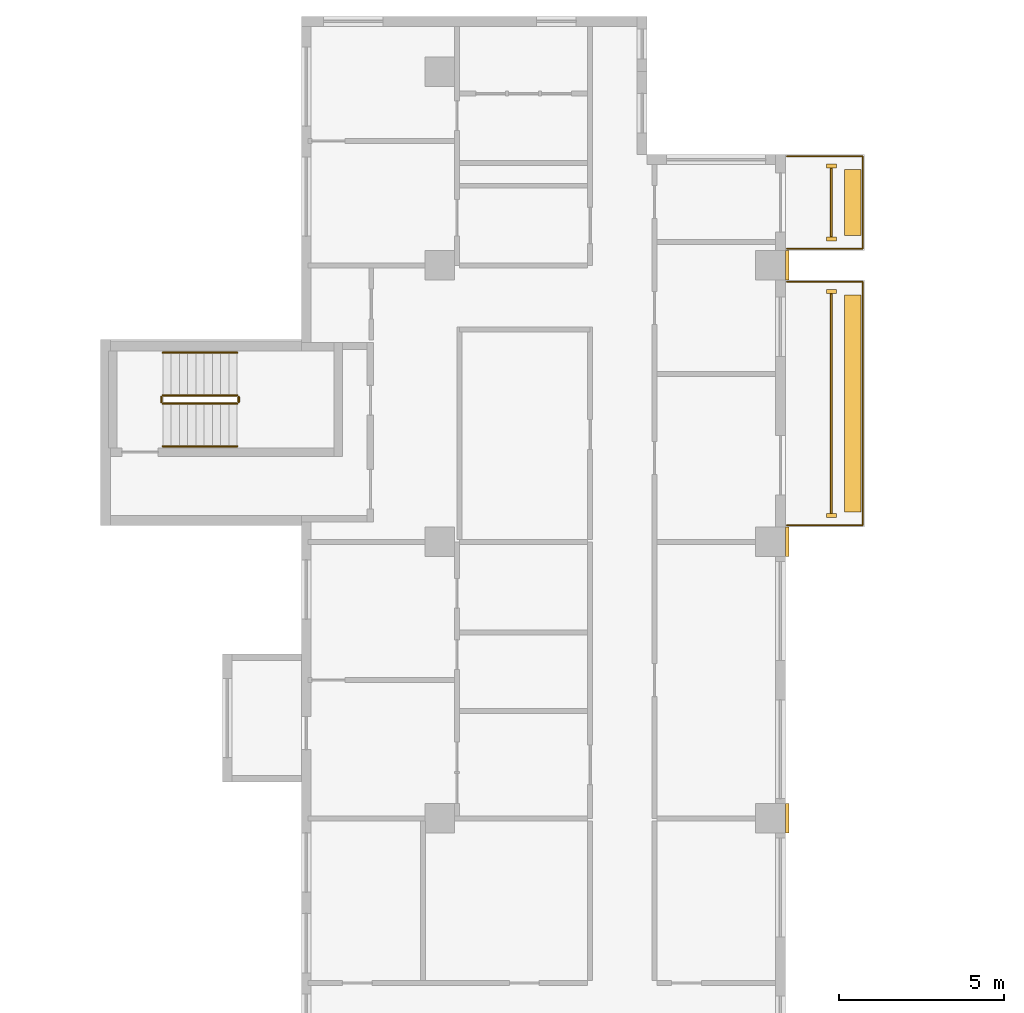
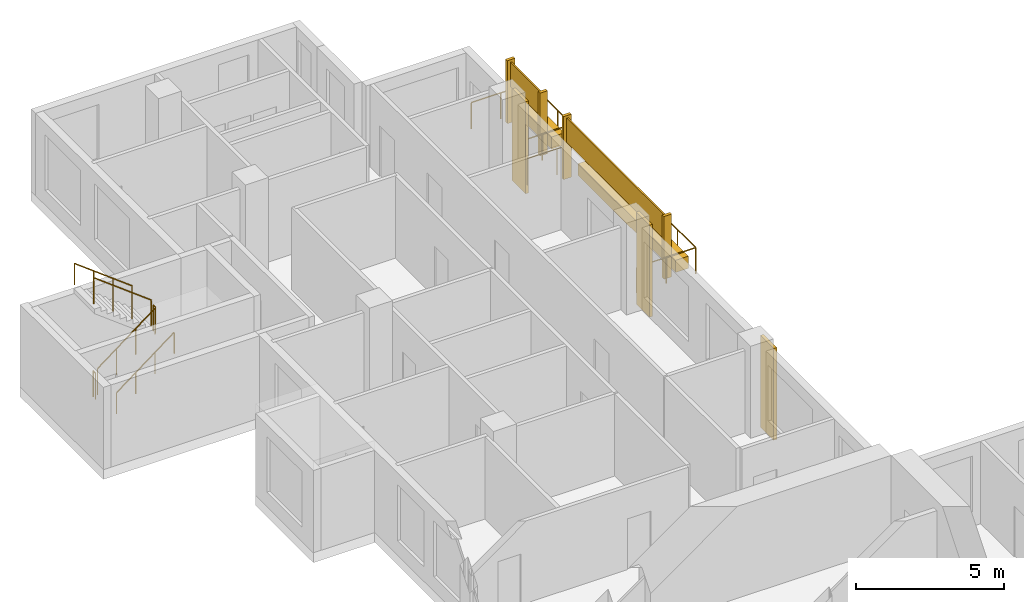
# One storey, part 12 of 12: 11 coverings, 8 railings.
"""IFC4 building model written with IfcOpenShell, lengths in metres."""

from ifc_helpers import new_model, si_unit, direction, frame, origin, origin_2d, place, context, subcontext, project, spatial, rectangle, circle, extrude, source, transform, mapped, material, type_object, element, save


model = new_model("IFC4")

# Units and contexts
model_context = context("Model", 3, precision=1e-05, world=origin(), true_north=direction((0.0, 1.0)))
body_context = subcontext(model_context, "Body", "Model", "MODEL_VIEW")
ifc_project = project(units=[si_unit("LENGTHUNIT", "METRE"), si_unit("AREAUNIT", "SQUARE_METRE"), si_unit("VOLUMEUNIT", "CUBIC_METRE"), si_unit("PLANEANGLEUNIT", "RADIAN"), si_unit("MASSUNIT", "GRAM", prefix="KILO")], contexts=[model_context])

# Site, building, storey
site_placement = place(None, origin())
site = spatial("IfcSite", under=ifc_project, at=site_placement, CompositionType="ELEMENT")
building_placement = place(site_placement, origin())
building = spatial("IfcBuilding", under=site, at=building_placement, Name="Aurelian Terraces", CompositionType="ELEMENT")
storey_placement = place(building_placement, frame((0.0, 0.0, 200.6)))
storey = spatial("IfcBuildingStorey", under=building, at=storey_placement, Name="L44", CompositionType="ELEMENT", Elevation=200.6)

# Railing
ifc_material_1 = material(Name="Anodised aluminium", Category="aluminium")
railing_type_1 = type_object("IfcRailingType", Name="GUARD-1100", PredefinedType="GUARDRAIL", material=ifc_material_1)
railing_1_placement = place(storey_placement, frame((21.05, 38.3, 0.0)))
element("IfcRailing", 1, at=railing_1_placement, inside=storey, type_object=railing_type_1, Name="Balcony guard L44 F08.21", PredefinedType="GUARDRAIL", context=body_context, shape_type="SweptSolid", body=[
    extrude(circle(Radius=0.024, at=origin_2d()), frame((0.0, 0.0, 1.076), z_axis=(1.0, 0.0, 0.0), x_axis=(0.0, 1.0, 0.0)), (0.0, 0.0, 1.0), 2.3),
    extrude(circle(Radius=0.024, at=origin_2d()), frame((2.3, 0.0, 1.076), z_axis=(0.0, 1.0, 0.0), x_axis=(-1.0, 0.0, 0.0)), (0.0, 0.0, 1.0), 7.4),
    extrude(circle(Radius=0.024, at=origin_2d()), frame((2.3, 7.4, 1.076), z_axis=(-1.0, 0.0, 0.0), x_axis=(0.0, -1.0, 0.0)), (0.0, 0.0, 1.0), 2.3),
    extrude(circle(Radius=0.021, at=origin_2d()), origin(), (0.0, 0.0, 1.0), 1.052),
    extrude(circle(Radius=0.021, at=origin_2d()), frame((1.15, 0.0, 0.0)), (0.0, 0.0, 1.0), 1.052),
    extrude(circle(Radius=0.021, at=origin_2d()), frame((2.3, 0.0, 0.0)), (0.0, 0.0, 1.0), 1.052),
    extrude(circle(Radius=0.021, at=origin_2d()), frame((2.3, 1.2333, 0.0)), (0.0, 0.0, 1.0), 1.052),
    extrude(circle(Radius=0.021, at=origin_2d()), frame((2.3, 2.4667, 0.0)), (0.0, 0.0, 1.0), 1.052),
    extrude(circle(Radius=0.021, at=origin_2d()), frame((2.3, 3.7, 0.0)), (0.0, 0.0, 1.0), 1.052),
    extrude(circle(Radius=0.021, at=origin_2d()), frame((2.3, 4.9333, 0.0)), (0.0, 0.0, 1.0), 1.052),
    extrude(circle(Radius=0.021, at=origin_2d()), frame((2.3, 6.1667, 0.0)), (0.0, 0.0, 1.0), 1.052),
    extrude(circle(Radius=0.021, at=origin_2d()), frame((2.3, 7.4, 0.0)), (0.0, 0.0, 1.0), 1.052),
    extrude(circle(Radius=0.021, at=origin_2d()), frame((1.15, 7.4, 0.0)), (0.0, 0.0, 1.0), 1.052),
    extrude(circle(Radius=0.021, at=origin_2d()), frame((0.0, 7.4, 0.0)), (0.0, 0.0, 1.0), 1.052),
])

# Coverings
ifc_material_2 = material(Name="Terracotta planter with planting soil", Category="masonry")
covering_type_1 = type_object("IfcCoveringType", Name="PLANTER-TROUGH", PredefinedType="USERDEFINED", material=ifc_material_2)
covering_1_placement = place(storey_placement, frame((23.05, 42.0, 0.0), z_axis=(0.0, 0.0, 1.0), x_axis=(1.0, 0.0, 0.0)))
element("IfcCovering", 2, at=covering_1_placement, inside=storey, type_object=covering_type_1, Name="PLANTER L44 L44-F08-21", ObjectType="PLANTER", PredefinedType="USERDEFINED", context=body_context, shape_type="SweptSolid", body=[
    extrude(rectangle(XDim=0.5, YDim=6.6, at=origin_2d()), origin(), (0.0, 0.0, 1.0), 0.5),
])
ifc_material_3 = material(Name="Terracotta rainscreen cladding", Category="masonry")
covering_type_2 = type_object("IfcCoveringType", Name="SCREEN-TC", PredefinedType="CLADDING", material=ifc_material_3)
covering_2_placement = place(storey_placement, frame((22.4, 42.0, 1.5), z_axis=(0.0, 0.0, 1.0), x_axis=(1.0, 0.0, 0.0)))
element("IfcCovering", 3, at=covering_2_placement, inside=storey, type_object=covering_type_2, Name="SCREEN L44 L44-F08-21", PredefinedType="CLADDING", context=body_context, shape_type="SweptSolid", body=[
    extrude(rectangle(XDim=0.06, YDim=6.68, at=origin_2d()), origin(), (0.0, 0.0, 1.0), 1.0),
])
ifc_material_4 = material(Name="Terracotta rainscreen cladding relief", Category="masonry")
covering_type_3 = type_object("IfcCoveringType", Name="FIN-TC", PredefinedType="CLADDING", material=ifc_material_4)
shared_shape_1 = source(origin(), body_context, "Body", "SweptSolid", [
    extrude(rectangle(XDim=0.3, YDim=0.12, at=origin_2d()), origin(), (0.0, 0.0, 1.0), 2.6),
])
for number, where, z_axis, x_axis, name in (
    (4, (22.4, 38.6, 0.0), (0.0, 0.0, 1.0), (1.0, 0.0, 0.0), "FIN L44 L44-F08-21.1"),
    (5, (22.4, 45.4, 0.0), (0.0, 0.0, 1.0), (1.0, 0.0, 0.0), "FIN L44 L44-F08-21.2"),
    (6, (22.4, 47.0, 0.0), (0.0, 0.0, 1.0), (1.0, 0.0, 0.0), "FIN L44 L44-F08-22.1"),
    (7, (22.4, 49.21, 0.0), (0.0, 0.0, 1.0), (1.0, 0.0, 0.0), "FIN L44 L44-F08-22.2"),
):
    element("IfcCovering", number, at=place(storey_placement, frame(where, z_axis=z_axis, x_axis=x_axis)), inside=storey, type_object=covering_type_3, Name=name, PredefinedType="CLADDING", context=body_context, shape_type="MappedRepresentation", body=[
        mapped(shared_shape_1, transform((0.0, 0.0, 0.0), scale=1.0)),
    ])
covering_type_4 = type_object("IfcCoveringType", Name="BAGUETTE-TC", PredefinedType="CLADDING", material=ifc_material_4)
shared_shape_2 = source(origin(), body_context, "Body", "SweptSolid", [
    extrude(rectangle(XDim=0.12, YDim=0.9, at=origin_2d()), origin(), (0.0, 0.0, 1.0), 3.8),
])
for number, where, z_axis, x_axis, name in (
    (8, (21.06, 29.4, -0.4), (0.0, 0.0, 1.0), (1.0, 0.0, 0.0), "BAGUETTE pier L44 7"),
    (9, (21.06, 37.8, -0.4), (0.0, 0.0, 1.0), (1.0, 0.0, 0.0), "BAGUETTE pier L44 8"),
    (10, (21.06, 46.2, -0.4), (0.0, 0.0, 1.0), (1.0, 0.0, 0.0), "BAGUETTE pier L44 9"),
):
    element("IfcCovering", number, at=place(storey_placement, frame(where, z_axis=z_axis, x_axis=x_axis)), inside=storey, type_object=covering_type_4, Name=name, PredefinedType="CLADDING", context=body_context, shape_type="MappedRepresentation", body=[
        mapped(shared_shape_2, transform((0.0, 0.0, 0.0), scale=1.0)),
    ])

# Railing
shared_shape_3 = source(origin(), body_context, "Body", "SweptSolid", [
    extrude(circle(Radius=0.024, at=origin_2d()), frame((0.0, 0.0, 1.076), z_axis=(1.0, 0.0, 0.0), x_axis=(0.0, 1.0, 0.0)), (0.0, 0.0, 1.0), 2.3),
    extrude(circle(Radius=0.024, at=origin_2d()), frame((2.3, 0.0, 1.076), z_axis=(0.0, 1.0, 0.0), x_axis=(-1.0, 0.0, 0.0)), (0.0, 0.0, 1.0), 2.81),
    extrude(circle(Radius=0.024, at=origin_2d()), frame((2.3, 2.81, 1.076), z_axis=(-1.0, 0.0, 0.0), x_axis=(0.0, -1.0, 0.0)), (0.0, 0.0, 1.0), 2.3),
    extrude(circle(Radius=0.021, at=origin_2d()), origin(), (0.0, 0.0, 1.0), 1.052),
    extrude(circle(Radius=0.021, at=origin_2d()), frame((1.15, 0.0, 0.0)), (0.0, 0.0, 1.0), 1.052),
    extrude(circle(Radius=0.021, at=origin_2d()), frame((2.3, 0.0, 0.0)), (0.0, 0.0, 1.0), 1.052),
    extrude(circle(Radius=0.021, at=origin_2d()), frame((2.3, 0.9367, 0.0)), (0.0, 0.0, 1.0), 1.052),
    extrude(circle(Radius=0.021, at=origin_2d()), frame((2.3, 1.8733, 0.0)), (0.0, 0.0, 1.0), 1.052),
    extrude(circle(Radius=0.021, at=origin_2d()), frame((2.3, 2.81, 0.0)), (0.0, 0.0, 1.0), 1.052),
    extrude(circle(Radius=0.021, at=origin_2d()), frame((1.15, 2.81, 0.0)), (0.0, 0.0, 1.0), 1.052),
    extrude(circle(Radius=0.021, at=origin_2d()), frame((0.0, 2.81, 0.0)), (0.0, 0.0, 1.0), 1.052),
])
railing_2_placement = place(storey_placement, frame((21.05, 46.7, 0.0)))
element("IfcRailing", 11, at=railing_2_placement, inside=storey, type_object=railing_type_1, Name="Balcony guard L44 F08.22", PredefinedType="GUARDRAIL", context=body_context, shape_type="MappedRepresentation", body=[
    mapped(shared_shape_3, transform((0.0, 0.0, 0.0), scale=1.0)),
])

# Coverings
shared_shape_4 = source(origin(), body_context, "Body", "SweptSolid", [
    extrude(rectangle(XDim=0.5, YDim=2.01, at=origin_2d()), origin(), (0.0, 0.0, 1.0), 0.5),
])
covering_3_placement = place(storey_placement, frame((23.05, 48.105, 0.0), z_axis=(0.0, 0.0, 1.0), x_axis=(1.0, 0.0, 0.0)))
element("IfcCovering", 12, at=covering_3_placement, inside=storey, type_object=covering_type_1, Name="PLANTER L44 L44-F08-22", ObjectType="PLANTER", PredefinedType="USERDEFINED", context=body_context, shape_type="MappedRepresentation", body=[
    mapped(shared_shape_4, transform((0.0, 0.0, 0.0), scale=1.0)),
])
shared_shape_5 = source(origin(), body_context, "Body", "SweptSolid", [
    extrude(rectangle(XDim=0.06, YDim=2.09, at=origin_2d()), origin(), (0.0, 0.0, 1.0), 1.0),
])
covering_4_placement = place(storey_placement, frame((22.4, 48.105, 1.5), z_axis=(0.0, 0.0, 1.0), x_axis=(1.0, 0.0, 0.0)))
element("IfcCovering", 13, at=covering_4_placement, inside=storey, type_object=covering_type_2, Name="SCREEN L44 L44-F08-22", PredefinedType="CLADDING", context=body_context, shape_type="MappedRepresentation", body=[
    mapped(shared_shape_5, transform((0.0, 0.0, 0.0), scale=1.0)),
])

# Railings
ifc_material_5 = material(Name="Stainless steel", Category="steel")
railing_type_2 = type_object("IfcRailingType", Name="Stair guard 1100", PredefinedType="GUARDRAIL", material=ifc_material_5)
shared_shape_6 = source(origin(), body_context, "Body", "SweptSolid", [
    extrude(circle(Radius=0.024, at=origin_2d()), frame((0.0, 0.0, 1.076), z_axis=(0.0, 1.0, 0.0), x_axis=(-1.0, 0.0, 0.0)), (0.0, 0.0, 1.0), 0.15),
    extrude(circle(Radius=0.021, at=origin_2d()), origin(), (0.0, 0.0, 1.0), 1.052),
    extrude(circle(Radius=0.021, at=origin_2d()), frame((0.0, 0.15, 0.0)), (0.0, 0.0, 1.0), 1.052),
])
for number, where, name in (
    (14, (4.4, 42.05, 1.9), "L44 S3 stair guard 2"),
    (15, (2.05, 42.05, 0.0), "L44 S3 stair guard 4"),
):
    element("IfcRailing", number, at=place(storey_placement, frame(where)), inside=storey, type_object=railing_type_2, Name=name, PredefinedType="GUARDRAIL", context=body_context, shape_type="MappedRepresentation", body=[
        mapped(shared_shape_6, transform((0.0, 0.0, 0.0), scale=1.0)),
    ])
shared_shape_7 = source(origin(), body_context, "Body", "SweptSolid", [
    extrude(circle(Radius=0.024, at=origin_2d()), frame((0.0, 0.0, 1.076), z_axis=(0.796162194123, 0.0, 0.605083267534), x_axis=(0.0, 1.0, 0.0)), (0.0, 0.0, 1.0), 2.8261),
    extrude(circle(Radius=0.021, at=origin_2d()), origin(), (0.0, 0.0, 1.0), 1.052),
    extrude(circle(Radius=0.021, at=origin_2d()), frame((0.75, 0.0, 0.57)), (0.0, 0.0, 1.0), 1.052),
    extrude(circle(Radius=0.021, at=origin_2d()), frame((1.5, 0.0, 1.14)), (0.0, 0.0, 1.0), 1.052),
    extrude(circle(Radius=0.021, at=origin_2d()), frame((2.25, 0.0, 1.71)), (0.0, 0.0, 1.0), 1.052),
])
railing_3_placement = place(storey_placement, frame((2.1, 42.0, 0.19)))
element("IfcRailing", 16, at=railing_3_placement, inside=storey, type_object=railing_type_2, Name="L44 S3 stair guard 1", PredefinedType="GUARDRAIL", context=body_context, shape_type="MappedRepresentation", body=[
    mapped(shared_shape_7, transform((0.0, 0.0, 0.0), scale=1.0)),
])
shared_shape_8 = source(origin(), body_context, "Body", "SweptSolid", [
    extrude(circle(Radius=0.024, at=origin_2d()), frame((0.0, 0.0, 1.076), z_axis=(-0.796162194123, 0.0, 0.605083267534), x_axis=(0.0, -1.0, 0.0)), (0.0, 0.0, 1.0), 2.8261),
    extrude(circle(Radius=0.021, at=origin_2d()), origin(), (0.0, 0.0, 1.0), 1.052),
    extrude(circle(Radius=0.021, at=origin_2d()), frame((-0.75, 0.0, 0.57)), (0.0, 0.0, 1.0), 1.052),
    extrude(circle(Radius=0.021, at=origin_2d()), frame((-1.5, 0.0, 1.14)), (0.0, 0.0, 1.0), 1.052),
    extrude(circle(Radius=0.021, at=origin_2d()), frame((-2.25, 0.0, 1.71)), (0.0, 0.0, 1.0), 1.052),
])
railing_4_placement = place(storey_placement, frame((4.35, 42.25, 2.09)))
element("IfcRailing", 17, at=railing_4_placement, inside=storey, type_object=railing_type_2, Name="L44 S3 stair guard 3", PredefinedType="GUARDRAIL", context=body_context, shape_type="MappedRepresentation", body=[
    mapped(shared_shape_8, transform((0.0, 0.0, 0.0), scale=1.0)),
])
railing_type_3 = type_object("IfcRailingType", Name="Stair handrail", PredefinedType="HANDRAIL", material=ifc_material_5)
shared_shape_9 = source(origin(), body_context, "Body", "SweptSolid", [
    extrude(circle(Radius=0.024, at=origin_2d()), frame((0.0, 0.0, 0.876), z_axis=(0.796162194123, 0.0, 0.605083267534), x_axis=(0.0, 1.0, 0.0)), (0.0, 0.0, 1.0), 2.8261),
    extrude(circle(Radius=0.021, at=origin_2d()), origin(), (0.0, 0.0, 1.0), 0.852),
    extrude(circle(Radius=0.021, at=origin_2d()), frame((0.75, 0.0, 0.57)), (0.0, 0.0, 1.0), 0.852),
    extrude(circle(Radius=0.021, at=origin_2d()), frame((1.5, 0.0, 1.14)), (0.0, 0.0, 1.0), 0.852),
    extrude(circle(Radius=0.021, at=origin_2d()), frame((2.25, 0.0, 1.71)), (0.0, 0.0, 1.0), 0.852),
])
railing_5_placement = place(storey_placement, frame((2.1, 40.7, 0.19)))
element("IfcRailing", 18, at=railing_5_placement, inside=storey, type_object=railing_type_3, Name="L44 S3 stair handrail 1", PredefinedType="HANDRAIL", context=body_context, shape_type="MappedRepresentation", body=[
    mapped(shared_shape_9, transform((0.0, 0.0, 0.0), scale=1.0)),
])
shared_shape_10 = source(origin(), body_context, "Body", "SweptSolid", [
    extrude(circle(Radius=0.024, at=origin_2d()), frame((0.0, 0.0, 0.876), z_axis=(-0.796162194123, 0.0, 0.605083267534), x_axis=(0.0, -1.0, 0.0)), (0.0, 0.0, 1.0), 2.8261),
    extrude(circle(Radius=0.021, at=origin_2d()), origin(), (0.0, 0.0, 1.0), 0.852),
    extrude(circle(Radius=0.021, at=origin_2d()), frame((-0.75, 0.0, 0.57)), (0.0, 0.0, 1.0), 0.852),
    extrude(circle(Radius=0.021, at=origin_2d()), frame((-1.5, 0.0, 1.14)), (0.0, 0.0, 1.0), 0.852),
    extrude(circle(Radius=0.021, at=origin_2d()), frame((-2.25, 0.0, 1.71)), (0.0, 0.0, 1.0), 0.852),
])
railing_6_placement = place(storey_placement, frame((4.35, 43.55, 2.09)))
element("IfcRailing", 19, at=railing_6_placement, inside=storey, type_object=railing_type_3, Name="L44 S3 stair handrail 2", PredefinedType="HANDRAIL", context=body_context, shape_type="MappedRepresentation", body=[
    mapped(shared_shape_10, transform((0.0, 0.0, 0.0), scale=1.0)),
])

save(model, "model.ifc")
